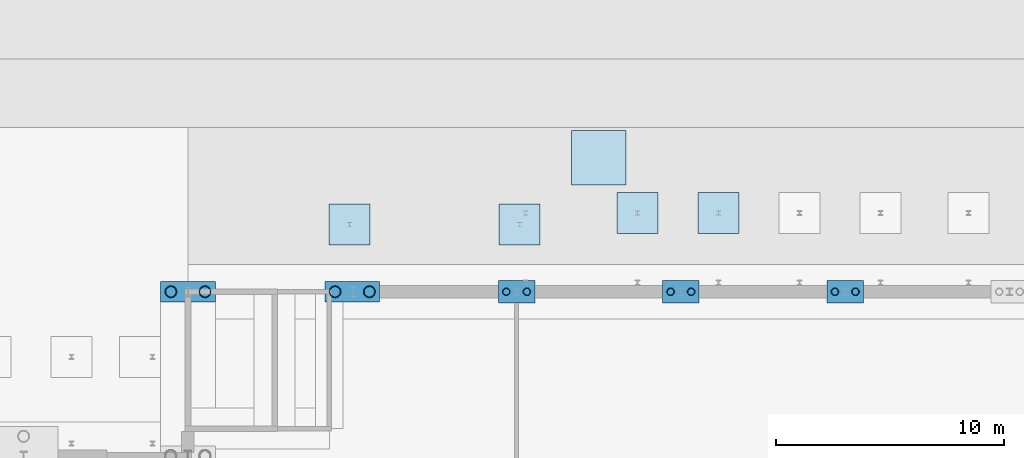
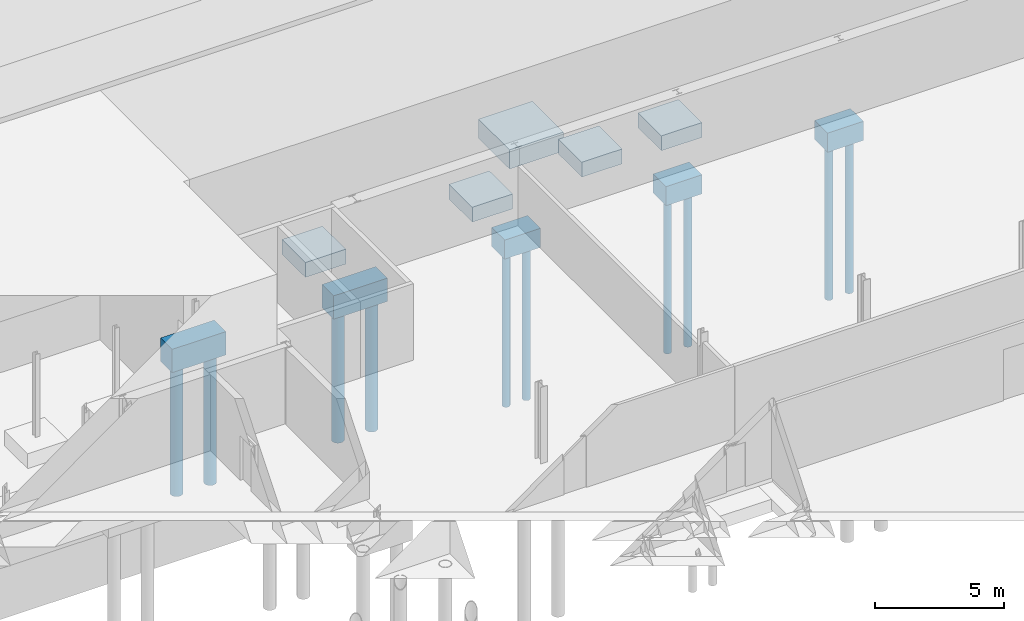
# One storey, part 31 of 148: 10 footings, 10 piles.
"""IFC4 building model written with IfcOpenShell, lengths in metres."""

from ifc_helpers import new_model, si_unit, direction, frame, origin, origin_2d, place, context, subcontext, project, spatial, rectangle, hollow_circle, extrude, material, layer, layer_set, material_profile, profile_set, type_object, element, save


model = new_model("IFC4")

# Units and contexts
model_context = context("Model", 3, precision=1e-05, world=origin(), true_north=direction((0.0, 1.0)))
body_context = subcontext(model_context, "Body", "Model", "MODEL_VIEW")
ifc_project = project(units=[si_unit("LENGTHUNIT", "METRE"), si_unit("AREAUNIT", "SQUARE_METRE"), si_unit("VOLUMEUNIT", "CUBIC_METRE"), si_unit("PLANEANGLEUNIT", "RADIAN"), si_unit("MASSUNIT", "GRAM", prefix="KILO")], contexts=[model_context])

# Site, building, storey
site_placement = place(None, origin())
site = spatial("IfcSite", under=ifc_project, at=site_placement, CompositionType="ELEMENT")
building_placement = place(site_placement, origin())
building = spatial("IfcBuilding", under=site, at=building_placement, Name="Kupolbacken Congress Centre", CompositionType="ELEMENT")
storey_placement = place(building_placement, origin())
storey = spatial("IfcBuildingStorey", under=building, at=storey_placement, Name="L00", CompositionType="ELEMENT", Elevation=0.0)

# Footings
ifc_material_1 = material(Name="Concrete C30/37", Category="concrete")
ifc_layer_1 = layer(ifc_material_1, 1.10009765625)
ifc_layer_set_1 = layer_set([ifc_layer_1], Name="Concrete C30/37")
footing_type_1 = type_object("IfcFootingType", Name="PC2 pile cap 2.40 x 0.90 x 1.10 m", PredefinedType="PILE_CAP", material=ifc_layer_set_1)
for number, where, z_axis, x_axis, name in (
    (1, (136.800048828125, 151.199951171875, -1.400146484375), (0.0, 0.0, 1.0), (1.0, 0.0, 0.0), "S/fnd/C-BF-20X/cap"),
    (2, (144.0, 151.199951171875, -1.400146484375), (0.0, 0.0, 1.0), (1.0, 0.0, 0.0), "S/fnd/C-BF-21X/cap"),
):
    element("IfcFooting", number, at=place(storey_placement, frame(where, z_axis=z_axis, x_axis=x_axis)), inside=storey, type_object=footing_type_1, Name=name, PredefinedType="PILE_CAP", context=body_context, shape_type="SweptSolid", body=[
        extrude(rectangle(XDim=2.39990234375, YDim=0.89990234375, at=origin_2d()), origin(), (0.0, 0.0, 1.0), 1.10009765625),
    ])
ifc_material_2 = material(Name="Concrete C30/37", Category="concrete")
ifc_layer_2 = layer(ifc_material_2, 0.89990234375)
ifc_layer_set_2 = layer_set([ifc_layer_2], Name="Concrete C30/37")
footing_type_2 = type_object("IfcFootingType", Name="PC7 pile cap 1.60 x 1.00 x 0.90 m", PredefinedType="PILE_CAP", material=ifc_layer_set_2)
for number, where, z_axis, x_axis, name in (
    (3, (151.199951171875, 151.199951171875, -1.199951171875), (0.0, 0.0, 1.0), (1.0, 0.0, 0.0), "S/fnd/C-B-B1N/cap"),
    (4, (158.39990234375, 151.199951171875, -1.199951171875), (0.0, 0.0, 1.0), (1.0, 0.0, 0.0), "S/fnd/C-B-B2N/cap"),
    (5, (165.60009765625, 151.199951171875, -1.199951171875), (0.0, 0.0, 1.0), (1.0, 0.0, 0.0), "S/fnd/C-B-B3N/cap"),
):
    element("IfcFooting", number, at=place(storey_placement, frame(where, z_axis=z_axis, x_axis=x_axis)), inside=storey, type_object=footing_type_2, Name=name, PredefinedType="PILE_CAP", context=body_context, shape_type="SweptSolid", body=[
        extrude(rectangle(XDim=1.60009765625, YDim=1.0, at=origin_2d()), origin(), (0.0, 0.0, 1.0), 0.89990234375),
    ])
ifc_material_3 = material(Name="Concrete C30/37", Category="concrete")
ifc_layer_3 = layer(ifc_material_3, 0.89990234375)
ifc_layer_set_3 = layer_set([ifc_layer_3], Name="Concrete C30/37")
footing_type_3 = type_object("IfcFootingType", Name="PD1 pad footing 2.40 x 2.40 x 0.90 m", PredefinedType="PAD_FOOTING", material=ifc_layer_set_3)
footing_placement = place(storey_placement, frame((154.7998046875, 157.070068359375, -1.199951171875), z_axis=(0.0, 0.0, 1.0), x_axis=(1.0, 0.0, 0.0)))
element("IfcFooting", 6, at=footing_placement, inside=storey, type_object=footing_type_3, Name="S/fnd/pier/DNP1", PredefinedType="PAD_FOOTING", context=body_context, shape_type="SweptSolid", body=[
    extrude(rectangle(XDim=2.39990234375, YDim=2.39990234375, at=origin_2d()), origin(), (0.0, 0.0, 1.0), 0.89990234375),
])
ifc_material_4 = material(Name="Concrete C30/37", Category="concrete")
ifc_layer_4 = layer(ifc_material_4, 0.699951171875)
ifc_layer_set_4 = layer_set([ifc_layer_4], Name="Concrete C30/37")
footing_type_4 = type_object("IfcFootingType", Name="PD4 pad footing 1.80 x 1.80 x 0.70 m", PredefinedType="PAD_FOOTING", material=ifc_layer_set_4)
for number, where, z_axis, x_axis, name in (
    (7, (151.320068359375, 154.139892578125, -1.0), (0.0, 0.0, 1.0), (1.0, 0.0, 0.0), "E/canopy/BN1/pad1"),
    (8, (143.8798828125, 154.139892578125, -1.0), (0.0, 0.0, 1.0), (1.0, 0.0, 0.0), "E/canopy/BN1/pad2"),
    (9, (156.5, 154.64990234375, -1.0), (0.0, 0.0, 1.0), (1.0, 0.0, 0.0), "C/passage/B/padN01"),
    (10, (160.050048828125, 154.64990234375, -1.0), (0.0, 0.0, 1.0), (1.0, 0.0, 0.0), "C/passage/B/padN02"),
):
    element("IfcFooting", number, at=place(storey_placement, frame(where, z_axis=z_axis, x_axis=x_axis)), inside=storey, type_object=footing_type_4, Name=name, PredefinedType="PAD_FOOTING", context=body_context, shape_type="SweptSolid", body=[
        extrude(rectangle(XDim=1.800048828125, YDim=1.800048828125, at=origin_2d()), origin(), (0.0, 0.0, 1.0), 0.699951171875),
    ])

# Piles
ifc_material_5 = material(Name="Steel S355", Category="steel")
ifc_material_profile_1 = material_profile(ifc_material_5, hollow_circle(Radius=0.161865234375, WallThickness=0.012451171875, at=origin_2d()), Name="CHS 323.9 x 12.5")
ifc_profile_set_1 = profile_set([ifc_material_profile_1], Name="Steel S355")
pile_type_1 = type_object("IfcPileType", Name="PL1 steel tube pile CHS 323.9 x 12.5", PredefinedType="BORED", material=ifc_profile_set_1)
for number, where, z_axis, x_axis, name in (
    (11, (150.75, 151.199951171875, -1.199951171875), (0.0, 0.0, -1.0), (1.0, 0.0, 0.0), "S/fnd/C-B-B1N/pile1"),
    (12, (151.64990234375, 151.199951171875, -1.199951171875), (0.0, 0.0, -1.0), (1.0, 0.0, 0.0), "S/fnd/C-B-B1N/pile2"),
    (13, (157.949951171875, 151.199951171875, -1.199951171875), (0.0, 0.0, -1.0), (1.0, 0.0, 0.0), "S/fnd/C-B-B2N/pile1"),
    (14, (158.85009765625, 151.199951171875, -1.199951171875), (0.0, 0.0, -1.0), (1.0, 0.0, 0.0), "S/fnd/C-B-B2N/pile2"),
    (15, (165.14990234375, 151.199951171875, -1.199951171875), (0.0, 0.0, -1.0), (1.0, 0.0, 0.0), "S/fnd/C-B-B3N/pile1"),
    (16, (166.050048828125, 151.199951171875, -1.199951171875), (0.0, 0.0, -1.0), (1.0, 0.0, 0.0), "S/fnd/C-B-B3N/pile2"),
):
    element("IfcPile", number, at=place(storey_placement, frame(where, z_axis=z_axis, x_axis=x_axis)), inside=storey, type_object=pile_type_1, Name=name, PredefinedType="BORED", context=body_context, shape_type="SweptSolid", body=[
        extrude(hollow_circle(Radius=0.161865234375, WallThickness=0.012451171875, at=origin_2d()), origin(), (0.0, 0.0, 1.0), 7.300048828125),
    ])
ifc_material_6 = material(Name="Steel S355", Category="steel")
ifc_material_profile_2 = material_profile(ifc_material_6, hollow_circle(Radius=0.25390625, WallThickness=0.02001953125, at=origin_2d()), Name="CHS 508 x 20")
ifc_profile_set_2 = profile_set([ifc_material_profile_2], Name="Steel S355")
pile_type_2 = type_object("IfcPileType", Name="PL3 steel tube pile CHS 508 x 20", PredefinedType="BORED", material=ifc_profile_set_2)
for number, where, z_axis, x_axis, name in (
    (17, (136.050048828125, 151.199951171875, -1.39990234375), (0.0, 0.0, -1.0), (1.0, 0.0, 0.0), "S/fnd/C-BF-20X/pile1"),
    (18, (137.550048828125, 151.199951171875, -1.39990234375), (0.0, 0.0, -1.0), (1.0, 0.0, 0.0), "S/fnd/C-BF-20X/pile2"),
    (19, (143.25, 151.199951171875, -1.39990234375), (0.0, 0.0, -1.0), (1.0, 0.0, 0.0), "S/fnd/C-BF-21X/pile1"),
    (20, (144.75, 151.199951171875, -1.39990234375), (0.0, 0.0, -1.0), (1.0, 0.0, 0.0), "S/fnd/C-BF-21X/pile2"),
):
    element("IfcPile", number, at=place(storey_placement, frame(where, z_axis=z_axis, x_axis=x_axis)), inside=storey, type_object=pile_type_2, Name=name, PredefinedType="BORED", context=body_context, shape_type="SweptSolid", body=[
        extrude(hollow_circle(Radius=0.25390625, WallThickness=0.02001953125, at=origin_2d()), origin(), (0.0, 0.0, 1.0), 6.10009765625),
    ])

save(model, "model.ifc")
